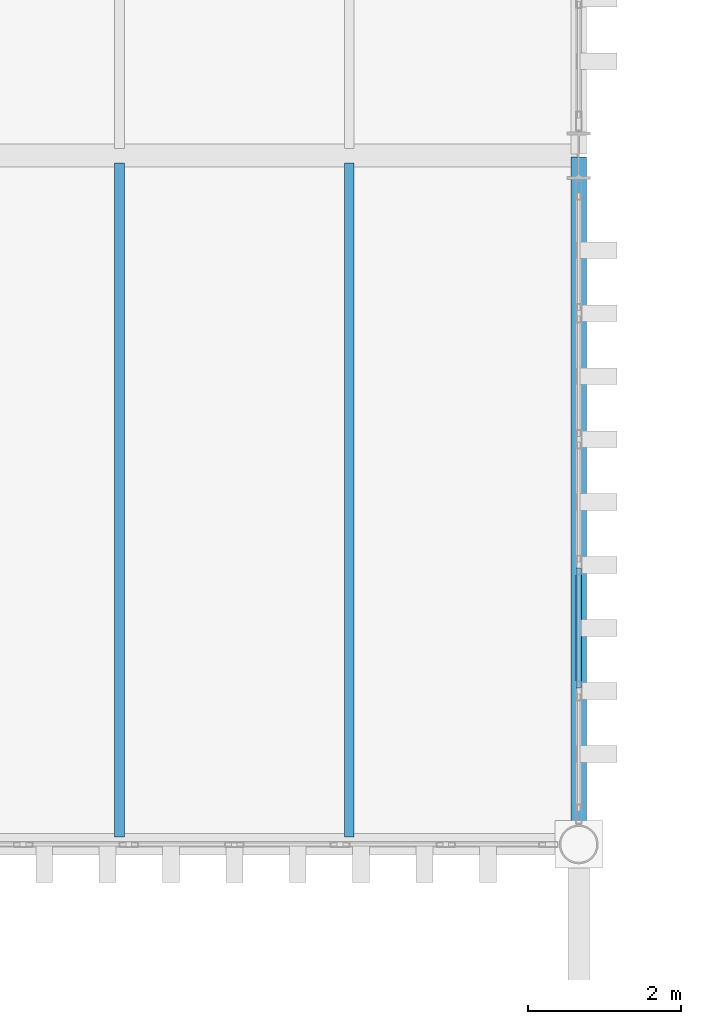
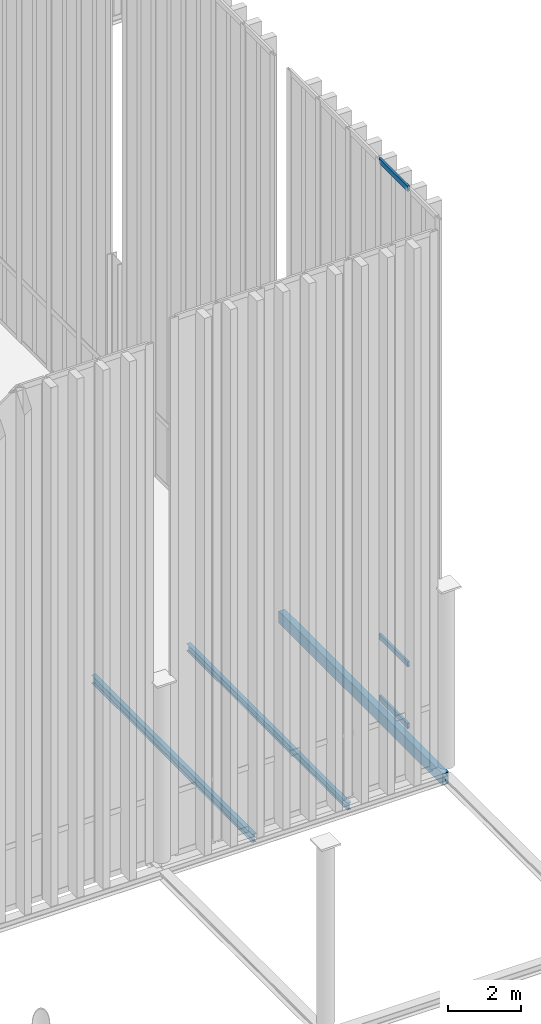
# One storey, part 48 of 237: 3 beams, 3 members, 1 element without a shape of its own.
"""IFC4 building model written with IfcOpenShell, lengths in metres."""

from ifc_helpers import new_model, si_unit, direction, frame, origin, origin_2d, place, context, subcontext, project, spatial, hollow_rectangle, i_section, extrude, material, layer, layer_set, material_profile, profile_set, type_object, element, aggregate, save


model = new_model("IFC4")

# Units and contexts
model_context = context("Model", 3, precision=1e-05, world=origin(), true_north=direction((0.0, 1.0)))
body_context = subcontext(model_context, "Body", "Model", "MODEL_VIEW")
ifc_project = project(units=[si_unit("LENGTHUNIT", "METRE"), si_unit("AREAUNIT", "SQUARE_METRE"), si_unit("VOLUMEUNIT", "CUBIC_METRE"), si_unit("PLANEANGLEUNIT", "RADIAN"), si_unit("MASSUNIT", "GRAM", prefix="KILO")], contexts=[model_context])

# Site, building, storey
site_placement = place(None, origin())
site = spatial("IfcSite", under=ifc_project, at=site_placement, CompositionType="ELEMENT")
building_placement = place(site_placement, origin())
building = spatial("IfcBuilding", under=site, at=building_placement, Name="Barlavento Convention Centre", CompositionType="ELEMENT")
storey_placement = place(building_placement, frame((0.0, 0.0, 12.0)))
storey = spatial("IfcBuildingStorey", under=building, at=storey_placement, Name="L02", CompositionType="ELEMENT", Elevation=12.0)

# Curtain wall, members
ifc_material_1 = material(Name="Powder-coated aluminium and Low-E glass", Category="aluminium")
ifc_layer = layer(ifc_material_1, 0.18994140625)
ifc_layer_set = layer_set([ifc_layer], Name="ARC-CW-CONG-L02")
curtain_wall_type = type_object("IfcCurtainWallType", Name="ARC-CW-CONG-L02", PredefinedType="NOTDEFINED", material=ifc_layer_set)
curtain_wall_placement = place(storey_placement, origin())
curtain_wall = element("IfcCurtainWall", 1, at=curtain_wall_placement, inside=storey, type_object=curtain_wall_type, Name="L02 unitised curtain wall CW02", PredefinedType="NOTDEFINED")
ifc_material_2 = material(Name="Powder-coated aluminium", Category="aluminium")
ifc_material_profile_1 = material_profile(ifc_material_2, hollow_rectangle(XDim=0.070068359375, YDim=0.179931640625, WallThickness=0.0048828125, at=origin_2d()), Name="AL-TRAN 70x180x5")
ifc_profile_set_1 = profile_set([ifc_material_profile_1], Name="Powder-coated aluminium")
member_type = type_object("IfcMemberType", Name="ARC-CWT-70X180", PredefinedType="USERDEFINED", material=ifc_profile_set_1)
member_1_placement = place(storey_placement, frame((63.0, 11.041748046875, 0.034912109375), z_axis=(0.0, 1.0, 0.0), x_axis=(-1.0, 0.0, 0.0)))
member_1 = element("IfcMember", 2, at=member_1_placement, type_object=member_type, Name="CW02 transom 2.1", ObjectType="TRANSOM", PredefinedType="USERDEFINED", context=body_context, shape_type="SweptSolid", body=[
    extrude(hollow_rectangle(XDim=0.070068359375, YDim=0.179931640625, WallThickness=0.0048828125, at=origin_2d()), origin(), (0.0, 0.0, 1.0), 1.570068359375),
])
member_2_placement = place(storey_placement, frame((63.0, 11.041748046875, 2.10009765625), z_axis=(0.0, 1.0, 0.0), x_axis=(-1.0, 0.0, 0.0)))
member_2 = element("IfcMember", 3, at=member_2_placement, type_object=member_type, Name="CW02 transom 2.2", ObjectType="TRANSOM", PredefinedType="USERDEFINED", context=body_context, shape_type="SweptSolid", body=[
    extrude(hollow_rectangle(XDim=0.070068359375, YDim=0.179931640625, WallThickness=0.0048828125, at=origin_2d()), origin(), (0.0, 0.0, 1.0), 1.570068359375),
])
member_3_placement = place(storey_placement, frame((63.0, 11.041748046875, 18.001953125), z_axis=(0.0, 1.0, 0.0), x_axis=(-1.0, 0.0, 0.0)))
member_3 = element("IfcMember", 4, at=member_3_placement, type_object=member_type, Name="CW02 transom 2.3", ObjectType="TRANSOM", PredefinedType="USERDEFINED", context=body_context, shape_type="SweptSolid", body=[
    extrude(hollow_rectangle(XDim=0.070068359375, YDim=0.179931640625, WallThickness=0.0048828125, at=origin_2d()), origin(), (0.0, 0.0, 1.0), 1.570068359375),
])
aggregate(curtain_wall, [member_1, member_2, member_3])

# Beams
ifc_material_3 = material(Name="Steel S355", Category="steel")
ifc_material_profile_2 = material_profile(ifc_material_3, i_section(OverallWidth=0.1201171875, OverallDepth=0.239990234375, WebThickness=0.006103515625, FlangeThickness=0.009765625, FilletRadius=0.014892578125, at=origin_2d()), Name="IPE 240")
ifc_profile_set_2 = profile_set([ifc_material_profile_2], Name="Steel S355")
beam_type_1 = type_object("IfcBeamType", Name="STR-BM-JST-IPE240", PredefinedType="JOIST", material=ifc_profile_set_2)
beam_1_placement = place(storey_placement, frame((60.0, 9.094970703125, -0.419921875), z_axis=(0.0, 1.0, 0.0), x_axis=(-1.0, 0.0, 0.0)))
element("IfcBeam", 5, at=beam_1_placement, inside=storey, type_object=beam_type_1, Name="L02 composite floor joist SJ09", PredefinedType="JOIST", context=body_context, shape_type="SweptSolid", body=[
    extrude(i_section(OverallWidth=0.1201171875, OverallDepth=0.239990234375, WebThickness=0.006103515625, FlangeThickness=0.009765625, FilletRadius=0.014892578125, at=origin_2d()), origin(), (0.0, 0.0, 1.0), 8.81005859375),
])
ifc_material_profile_3 = material_profile(ifc_material_3, i_section(OverallWidth=0.135009765625, OverallDepth=0.27001953125, WebThickness=0.006591796875, FlangeThickness=0.01025390625, FilletRadius=0.014892578125, at=origin_2d()), Name="IPE 270")
ifc_profile_set_3 = profile_set([ifc_material_profile_3], Name="Steel S355")
beam_type_2 = type_object("IfcBeamType", Name="STR-BM-JST-IPE270", PredefinedType="JOIST", material=ifc_profile_set_3)
beam_2_placement = place(storey_placement, frame((57.0, 9.094970703125, -0.43505859375), z_axis=(0.0, 1.0, 0.0), x_axis=(-1.0, 0.0, 0.0)))
element("IfcBeam", 6, at=beam_2_placement, inside=storey, type_object=beam_type_2, Name="L02 composite floor joist SJ08", PredefinedType="JOIST", context=body_context, shape_type="SweptSolid", body=[
    extrude(i_section(OverallWidth=0.135009765625, OverallDepth=0.27001953125, WebThickness=0.006591796875, FlangeThickness=0.01025390625, FilletRadius=0.014892578125, at=origin_2d()), origin(), (0.0, 0.0, 1.0), 8.81005859375),
])
ifc_material_profile_4 = material_profile(ifc_material_3, hollow_rectangle(XDim=0.199951171875, YDim=0.39990234375, WallThickness=0.01611328125, at=origin_2d()), Name="RHS 400x200x16.0")
ifc_profile_set_4 = profile_set([ifc_material_profile_4], Name="Steel S355")
beam_type_3 = type_object("IfcBeamType", Name="STR-BM-SPN-RHS400", PredefinedType="SPANDREL", material=ifc_profile_set_4)
beam_3_placement = place(storey_placement, frame((63.0, 9.02001953125, -0.5), z_axis=(0.0, 1.0, 0.0), x_axis=(-1.0, 0.0, 0.0)))
element("IfcBeam", 7, at=beam_3_placement, inside=storey, type_object=beam_type_3, Name="L02 grid girder SP06", PredefinedType="SPANDREL", context=body_context, shape_type="SweptSolid", body=[
    extrude(hollow_rectangle(XDim=0.199951171875, YDim=0.39990234375, WallThickness=0.01611328125, at=origin_2d()), origin(), (0.0, 0.0, 1.0), 8.9599609375),
])

save(model, "model.ifc")
